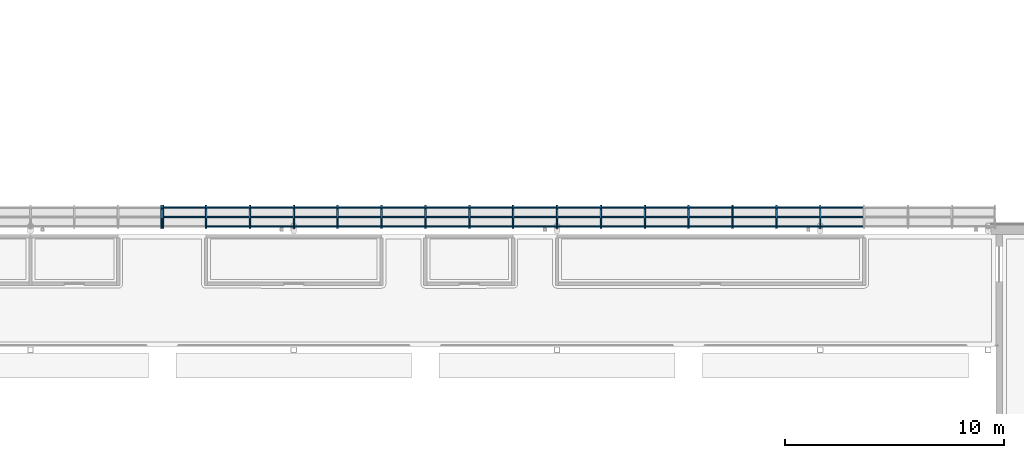
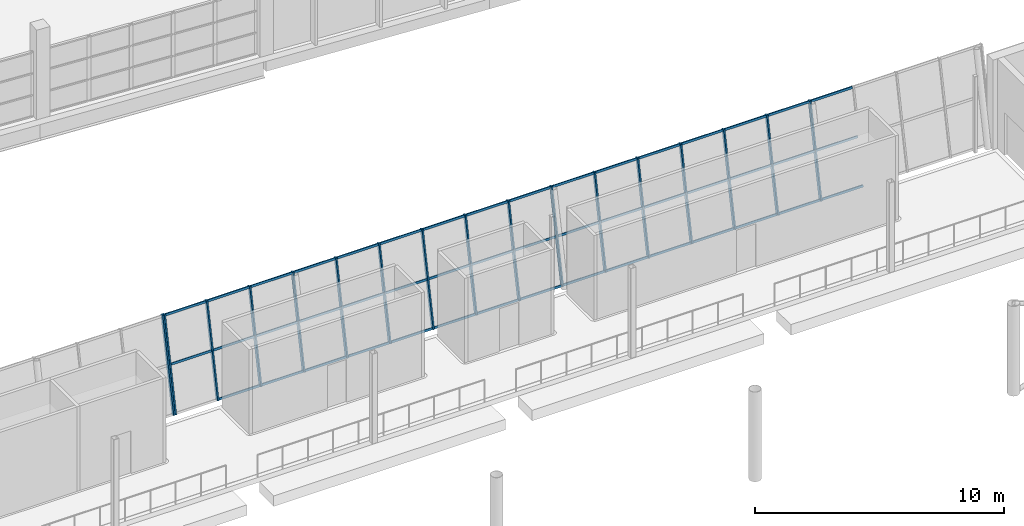
# One storey, part 35 of 115: 64 members, 2 elements without a shape of their own.
"""IFC4 building model written with IfcOpenShell, lengths in metres."""

from ifc_helpers import new_model, si_unit, direction, frame, origin, origin_2d, place, context, subcontext, project, spatial, rectangle, extrude, material, layer, layer_set, material_profile, profile_set, type_object, element, aggregate, save


model = new_model("IFC4")

# Units and contexts
model_context = context("Model", 3, precision=1e-05, world=origin(), true_north=direction((0.0, 1.0)))
body_context = subcontext(model_context, "Body", "Model", "MODEL_VIEW")
ifc_project = project(units=[si_unit("LENGTHUNIT", "METRE"), si_unit("AREAUNIT", "SQUARE_METRE"), si_unit("VOLUMEUNIT", "CUBIC_METRE"), si_unit("PLANEANGLEUNIT", "RADIAN"), si_unit("MASSUNIT", "GRAM", prefix="KILO")], contexts=[model_context])

# Site, building, storey
site_placement = place(None, origin())
site = spatial("IfcSite", under=ifc_project, at=site_placement, CompositionType="ELEMENT")
building_placement = place(site_placement, origin())
building = spatial("IfcBuilding", under=site, at=building_placement, Name="Windward Yard Aquatics Centre", CompositionType="ELEMENT")
storey_placement = place(building_placement, frame((0.0, 0.0, 5.0)))
storey = spatial("IfcBuildingStorey", under=building, at=storey_placement, Name="L01", CompositionType="ELEMENT", Elevation=5.0)

# Curtain wall, member
ifc_material_1 = material(Name="Glass and aluminium curtain wall", Category="aluminium")
ifc_layer = layer(ifc_material_1, 0.179931640625)
ifc_layer_set = layer_set([ifc_layer], Name="H curtain wall tier 1 double glazed 8+16+8")
curtain_wall_type = type_object("IfcCurtainWallType", Name="H curtain wall tier 1 double glazed 8+16+8", PredefinedType="NOTDEFINED", material=ifc_layer_set)
curtain_wall_1_placement = place(storey_placement, origin())
curtain_wall_1 = element("IfcCurtainWall", 1, at=curtain_wall_1_placement, inside=storey, type_object=curtain_wall_type, Name="Tier 1 glazing N L01", PredefinedType="NOTDEFINED")
ifc_material_2 = material(Name="Aluminium 6063-T6 anodised", Category="aluminium")
ifc_material_profile_1 = material_profile(ifc_material_2, rectangle(XDim=0.06494140625, YDim=0.179931640625, at=origin_2d()), Name="H CW mullion 65x180")
ifc_profile_set_1 = profile_set([ifc_material_profile_1], Name="Aluminium 6063-T6 anodised")
member_type_1 = type_object("IfcMemberType", Name="H CW mullion 65x180", PredefinedType="MULLION", material=ifc_profile_set_1)
member_1_placement = place(storey_placement, frame((101.96240234375, 95.911865234375, 0.017822265625), z_axis=(0.0, 0.199380237329, 0.979922201485), x_axis=(-1.0, 0.0, 0.0)))
member_1 = element("IfcMember", 2, at=member_1_placement, type_object=member_type_1, Name="G1NA mullion 20", PredefinedType="MULLION", context=body_context, shape_type="SweptSolid", body=[
    extrude(rectangle(XDim=0.06494140625, YDim=0.179931640625, at=origin_2d()), origin(), (0.0, 0.0, 1.0), 4.471923828125),
])
aggregate(curtain_wall_1, [member_1])

# Curtain wall, members
curtain_wall_2_placement = place(storey_placement, origin())
curtain_wall_2 = element("IfcCurtainWall", 3, at=curtain_wall_2_placement, inside=storey, type_object=curtain_wall_type, Name="Tier 1 glazing N L01", PredefinedType="NOTDEFINED")
member_2_placement = place(storey_placement, frame((102.03759765625, 95.911865234375, 0.017822265625), z_axis=(0.0, 0.199380237329, 0.979922201485), x_axis=(-1.0, 0.0, 0.0)))
member_2 = element("IfcMember", 4, at=member_2_placement, type_object=member_type_1, Name="G1NB mullion 1", PredefinedType="MULLION", context=body_context, shape_type="SweptSolid", body=[
    extrude(rectangle(XDim=0.06494140625, YDim=0.179931640625, at=origin_2d()), origin(), (0.0, 0.0, 1.0), 4.471923828125),
])
member_3_placement = place(storey_placement, frame((104.004638671875, 95.911865234375, 0.017822265625), z_axis=(0.0, 0.199380237329, 0.979922201485), x_axis=(-1.0, 0.0, 0.0)))
member_3 = element("IfcMember", 5, at=member_3_placement, type_object=member_type_1, Name="G1NB mullion 2", PredefinedType="MULLION", context=body_context, shape_type="SweptSolid", body=[
    extrude(rectangle(XDim=0.06494140625, YDim=0.179931640625, at=origin_2d()), origin(), (0.0, 0.0, 1.0), 4.471923828125),
])
member_4_placement = place(storey_placement, frame((106.00439453125, 95.911865234375, 0.017822265625), z_axis=(0.0, 0.199380237329, 0.979922201485), x_axis=(-1.0, 0.0, 0.0)))
member_4 = element("IfcMember", 6, at=member_4_placement, type_object=member_type_1, Name="G1NB mullion 3", PredefinedType="MULLION", context=body_context, shape_type="SweptSolid", body=[
    extrude(rectangle(XDim=0.06494140625, YDim=0.179931640625, at=origin_2d()), origin(), (0.0, 0.0, 1.0), 4.471923828125),
])
member_5_placement = place(storey_placement, frame((108.004150390625, 95.911865234375, 0.017822265625), z_axis=(0.0, 0.199380237329, 0.979922201485), x_axis=(-1.0, 0.0, 0.0)))
member_5 = element("IfcMember", 7, at=member_5_placement, type_object=member_type_1, Name="G1NB mullion 4", PredefinedType="MULLION", context=body_context, shape_type="SweptSolid", body=[
    extrude(rectangle(XDim=0.06494140625, YDim=0.179931640625, at=origin_2d()), origin(), (0.0, 0.0, 1.0), 4.471923828125),
])
member_6_placement = place(storey_placement, frame((110.00390625, 95.911865234375, 0.017822265625), z_axis=(0.0, 0.199380237329, 0.979922201485), x_axis=(-1.0, 0.0, 0.0)))
member_6 = element("IfcMember", 8, at=member_6_placement, type_object=member_type_1, Name="G1NB mullion 5", PredefinedType="MULLION", context=body_context, shape_type="SweptSolid", body=[
    extrude(rectangle(XDim=0.06494140625, YDim=0.179931640625, at=origin_2d()), origin(), (0.0, 0.0, 1.0), 4.471923828125),
])
member_7_placement = place(storey_placement, frame((112.003662109375, 95.911865234375, 0.017822265625), z_axis=(0.0, 0.199380237329, 0.979922201485), x_axis=(-1.0, 0.0, 0.0)))
member_7 = element("IfcMember", 9, at=member_7_placement, type_object=member_type_1, Name="G1NB mullion 6", PredefinedType="MULLION", context=body_context, shape_type="SweptSolid", body=[
    extrude(rectangle(XDim=0.06494140625, YDim=0.179931640625, at=origin_2d()), origin(), (0.0, 0.0, 1.0), 4.471923828125),
])
member_8_placement = place(storey_placement, frame((114.00341796875, 95.911865234375, 0.017822265625), z_axis=(0.0, 0.199380237329, 0.979922201485), x_axis=(-1.0, 0.0, 0.0)))
member_8 = element("IfcMember", 10, at=member_8_placement, type_object=member_type_1, Name="G1NB mullion 7", PredefinedType="MULLION", context=body_context, shape_type="SweptSolid", body=[
    extrude(rectangle(XDim=0.06494140625, YDim=0.179931640625, at=origin_2d()), origin(), (0.0, 0.0, 1.0), 4.471923828125),
])
member_9_placement = place(storey_placement, frame((116.003173828125, 95.911865234375, 0.017822265625), z_axis=(0.0, 0.199380237329, 0.979922201485), x_axis=(-1.0, 0.0, 0.0)))
member_9 = element("IfcMember", 11, at=member_9_placement, type_object=member_type_1, Name="G1NB mullion 8", PredefinedType="MULLION", context=body_context, shape_type="SweptSolid", body=[
    extrude(rectangle(XDim=0.06494140625, YDim=0.179931640625, at=origin_2d()), origin(), (0.0, 0.0, 1.0), 4.471923828125),
])
member_10_placement = place(storey_placement, frame((118.0029296875, 95.911865234375, 0.017822265625), z_axis=(0.0, 0.199380237329, 0.979922201485), x_axis=(-1.0, 0.0, 0.0)))
member_10 = element("IfcMember", 12, at=member_10_placement, type_object=member_type_1, Name="G1NB mullion 9", PredefinedType="MULLION", context=body_context, shape_type="SweptSolid", body=[
    extrude(rectangle(XDim=0.06494140625, YDim=0.179931640625, at=origin_2d()), origin(), (0.0, 0.0, 1.0), 4.471923828125),
])
member_11_placement = place(storey_placement, frame((120.002685546875, 95.911865234375, 0.017822265625), z_axis=(0.0, 0.199380237329, 0.979922201485), x_axis=(-1.0, 0.0, 0.0)))
member_11 = element("IfcMember", 13, at=member_11_placement, type_object=member_type_1, Name="G1NB mullion 10", PredefinedType="MULLION", context=body_context, shape_type="SweptSolid", body=[
    extrude(rectangle(XDim=0.06494140625, YDim=0.179931640625, at=origin_2d()), origin(), (0.0, 0.0, 1.0), 4.471923828125),
])
member_12_placement = place(storey_placement, frame((122.00244140625, 95.911865234375, 0.017822265625), z_axis=(0.0, 0.199380237329, 0.979922201485), x_axis=(-1.0, 0.0, 0.0)))
member_12 = element("IfcMember", 14, at=member_12_placement, type_object=member_type_1, Name="G1NB mullion 11", PredefinedType="MULLION", context=body_context, shape_type="SweptSolid", body=[
    extrude(rectangle(XDim=0.06494140625, YDim=0.179931640625, at=origin_2d()), origin(), (0.0, 0.0, 1.0), 4.471923828125),
])
member_13_placement = place(storey_placement, frame((124.002197265625, 95.911865234375, 0.017822265625), z_axis=(0.0, 0.199380237329, 0.979922201485), x_axis=(-1.0, 0.0, 0.0)))
member_13 = element("IfcMember", 15, at=member_13_placement, type_object=member_type_1, Name="G1NB mullion 12", PredefinedType="MULLION", context=body_context, shape_type="SweptSolid", body=[
    extrude(rectangle(XDim=0.06494140625, YDim=0.179931640625, at=origin_2d()), origin(), (0.0, 0.0, 1.0), 4.471923828125),
])
member_14_placement = place(storey_placement, frame((126.001953125, 95.911865234375, 0.017822265625), z_axis=(0.0, 0.199380237329, 0.979922201485), x_axis=(-1.0, 0.0, 0.0)))
member_14 = element("IfcMember", 16, at=member_14_placement, type_object=member_type_1, Name="G1NB mullion 13", PredefinedType="MULLION", context=body_context, shape_type="SweptSolid", body=[
    extrude(rectangle(XDim=0.06494140625, YDim=0.179931640625, at=origin_2d()), origin(), (0.0, 0.0, 1.0), 4.471923828125),
])
member_15_placement = place(storey_placement, frame((128.00146484375, 95.911865234375, 0.017822265625), z_axis=(0.0, 0.199380237329, 0.979922201485), x_axis=(-1.0, 0.0, 0.0)))
member_15 = element("IfcMember", 17, at=member_15_placement, type_object=member_type_1, Name="G1NB mullion 14", PredefinedType="MULLION", context=body_context, shape_type="SweptSolid", body=[
    extrude(rectangle(XDim=0.06494140625, YDim=0.179931640625, at=origin_2d()), origin(), (0.0, 0.0, 1.0), 4.471923828125),
])
member_16_placement = place(storey_placement, frame((130.001220703125, 95.911865234375, 0.017822265625), z_axis=(0.0, 0.199380237329, 0.979922201485), x_axis=(-1.0, 0.0, 0.0)))
member_16 = element("IfcMember", 18, at=member_16_placement, type_object=member_type_1, Name="G1NB mullion 15", PredefinedType="MULLION", context=body_context, shape_type="SweptSolid", body=[
    extrude(rectangle(XDim=0.06494140625, YDim=0.179931640625, at=origin_2d()), origin(), (0.0, 0.0, 1.0), 4.471923828125),
])
member_17_placement = place(storey_placement, frame((132.0009765625, 95.911865234375, 0.017822265625), z_axis=(0.0, 0.199380237329, 0.979922201485), x_axis=(-1.0, 0.0, 0.0)))
member_17 = element("IfcMember", 19, at=member_17_placement, type_object=member_type_1, Name="G1NB mullion 16", PredefinedType="MULLION", context=body_context, shape_type="SweptSolid", body=[
    extrude(rectangle(XDim=0.06494140625, YDim=0.179931640625, at=origin_2d()), origin(), (0.0, 0.0, 1.0), 4.471923828125),
])
ifc_material_profile_2 = material_profile(ifc_material_2, rectangle(XDim=0.06494140625, YDim=0.10009765625, at=origin_2d()), Name="H CW transom 65x100")
ifc_profile_set_2 = profile_set([ifc_material_profile_2], Name="Aluminium 6063-T6 anodised")
member_type_2 = type_object("IfcMemberType", Name="H CW transom 65x100", PredefinedType="USERDEFINED", material=ifc_profile_set_2)
member_18_placement = place(storey_placement, frame((102.070068359375, 96.355712890625, 2.199951171875), z_axis=(1.0, 0.0, 0.0), x_axis=(0.0, -0.979924704642, 0.199367934315)))
member_18 = element("IfcMember", 20, at=member_18_placement, type_object=member_type_2, Name="G1NB transom 1.2", ObjectType="TRANSOM", PredefinedType="USERDEFINED", context=body_context, shape_type="SweptSolid", body=[
    extrude(rectangle(XDim=0.06494140625, YDim=0.10009765625, at=origin_2d()), origin(), (0.0, 0.0, 1.0), 1.902099609375),
])
member_19_placement = place(storey_placement, frame((102.070068359375, 96.79345703125, 4.35107421875), z_axis=(1.0, 0.0, 0.0), x_axis=(0.0, -0.979924704642, 0.199367934315)))
member_19 = element("IfcMember", 21, at=member_19_placement, type_object=member_type_2, Name="G1NB transom 1.3", ObjectType="TRANSOM", PredefinedType="USERDEFINED", context=body_context, shape_type="SweptSolid", body=[
    extrude(rectangle(XDim=0.06494140625, YDim=0.10009765625, at=origin_2d()), origin(), (0.0, 0.0, 1.0), 1.902099609375),
])
member_20_placement = place(storey_placement, frame((104.037353515625, 95.91943359375, 0.055419921875), z_axis=(1.0, 0.0, 0.0), x_axis=(0.0, -0.979924704642, 0.199367934315)))
member_20 = element("IfcMember", 22, at=member_20_placement, type_object=member_type_2, Name="G1NB transom 2.1", ObjectType="TRANSOM", PredefinedType="USERDEFINED", context=body_context, shape_type="SweptSolid", body=[
    extrude(rectangle(XDim=0.06494140625, YDim=0.10009765625, at=origin_2d()), origin(), (0.0, 0.0, 1.0), 1.9345703125),
])
member_21_placement = place(storey_placement, frame((104.037353515625, 96.355712890625, 2.199951171875), z_axis=(1.0, 0.0, 0.0), x_axis=(0.0, -0.979924704642, 0.199367934315)))
member_21 = element("IfcMember", 23, at=member_21_placement, type_object=member_type_2, Name="G1NB transom 2.2", ObjectType="TRANSOM", PredefinedType="USERDEFINED", context=body_context, shape_type="SweptSolid", body=[
    extrude(rectangle(XDim=0.06494140625, YDim=0.10009765625, at=origin_2d()), origin(), (0.0, 0.0, 1.0), 1.9345703125),
])
member_22_placement = place(storey_placement, frame((104.037353515625, 96.79345703125, 4.35107421875), z_axis=(1.0, 0.0, 0.0), x_axis=(0.0, -0.979924704642, 0.199367934315)))
member_22 = element("IfcMember", 24, at=member_22_placement, type_object=member_type_2, Name="G1NB transom 2.3", ObjectType="TRANSOM", PredefinedType="USERDEFINED", context=body_context, shape_type="SweptSolid", body=[
    extrude(rectangle(XDim=0.06494140625, YDim=0.10009765625, at=origin_2d()), origin(), (0.0, 0.0, 1.0), 1.9345703125),
])
member_23_placement = place(storey_placement, frame((106.036865234375, 95.91943359375, 0.055419921875), z_axis=(1.0, 0.0, 0.0), x_axis=(0.0, -0.979924704642, 0.199367934315)))
member_23 = element("IfcMember", 25, at=member_23_placement, type_object=member_type_2, Name="G1NB transom 3.1", ObjectType="TRANSOM", PredefinedType="USERDEFINED", context=body_context, shape_type="SweptSolid", body=[
    extrude(rectangle(XDim=0.06494140625, YDim=0.10009765625, at=origin_2d()), origin(), (0.0, 0.0, 1.0), 1.934814453125),
])
member_24_placement = place(storey_placement, frame((106.036865234375, 96.355712890625, 2.199951171875), z_axis=(1.0, 0.0, 0.0), x_axis=(0.0, -0.979924704642, 0.199367934315)))
member_24 = element("IfcMember", 26, at=member_24_placement, type_object=member_type_2, Name="G1NB transom 3.2", ObjectType="TRANSOM", PredefinedType="USERDEFINED", context=body_context, shape_type="SweptSolid", body=[
    extrude(rectangle(XDim=0.06494140625, YDim=0.10009765625, at=origin_2d()), origin(), (0.0, 0.0, 1.0), 1.934814453125),
])
member_25_placement = place(storey_placement, frame((106.036865234375, 96.79345703125, 4.35107421875), z_axis=(1.0, 0.0, 0.0), x_axis=(0.0, -0.979924704642, 0.199367934315)))
member_25 = element("IfcMember", 27, at=member_25_placement, type_object=member_type_2, Name="G1NB transom 3.3", ObjectType="TRANSOM", PredefinedType="USERDEFINED", context=body_context, shape_type="SweptSolid", body=[
    extrude(rectangle(XDim=0.06494140625, YDim=0.10009765625, at=origin_2d()), origin(), (0.0, 0.0, 1.0), 1.934814453125),
])
member_26_placement = place(storey_placement, frame((108.03662109375, 95.91943359375, 0.055419921875), z_axis=(1.0, 0.0, 0.0), x_axis=(0.0, -0.979924704642, 0.199367934315)))
member_26 = element("IfcMember", 28, at=member_26_placement, type_object=member_type_2, Name="G1NB transom 4.1", ObjectType="TRANSOM", PredefinedType="USERDEFINED", context=body_context, shape_type="SweptSolid", body=[
    extrude(rectangle(XDim=0.06494140625, YDim=0.10009765625, at=origin_2d()), origin(), (0.0, 0.0, 1.0), 1.934814453125),
])
member_27_placement = place(storey_placement, frame((108.03662109375, 96.355712890625, 2.199951171875), z_axis=(1.0, 0.0, 0.0), x_axis=(0.0, -0.979924704642, 0.199367934315)))
member_27 = element("IfcMember", 29, at=member_27_placement, type_object=member_type_2, Name="G1NB transom 4.2", ObjectType="TRANSOM", PredefinedType="USERDEFINED", context=body_context, shape_type="SweptSolid", body=[
    extrude(rectangle(XDim=0.06494140625, YDim=0.10009765625, at=origin_2d()), origin(), (0.0, 0.0, 1.0), 1.934814453125),
])
member_28_placement = place(storey_placement, frame((108.03662109375, 96.79345703125, 4.35107421875), z_axis=(1.0, 0.0, 0.0), x_axis=(0.0, -0.979924704642, 0.199367934315)))
member_28 = element("IfcMember", 30, at=member_28_placement, type_object=member_type_2, Name="G1NB transom 4.3", ObjectType="TRANSOM", PredefinedType="USERDEFINED", context=body_context, shape_type="SweptSolid", body=[
    extrude(rectangle(XDim=0.06494140625, YDim=0.10009765625, at=origin_2d()), origin(), (0.0, 0.0, 1.0), 1.934814453125),
])
member_29_placement = place(storey_placement, frame((110.036376953125, 95.91943359375, 0.055419921875), z_axis=(1.0, 0.0, 0.0), x_axis=(0.0, -0.979924704642, 0.199367934315)))
member_29 = element("IfcMember", 31, at=member_29_placement, type_object=member_type_2, Name="G1NB transom 5.1", ObjectType="TRANSOM", PredefinedType="USERDEFINED", context=body_context, shape_type="SweptSolid", body=[
    extrude(rectangle(XDim=0.06494140625, YDim=0.10009765625, at=origin_2d()), origin(), (0.0, 0.0, 1.0), 1.934814453125),
])
member_30_placement = place(storey_placement, frame((110.036376953125, 96.355712890625, 2.199951171875), z_axis=(1.0, 0.0, 0.0), x_axis=(0.0, -0.979924704642, 0.199367934315)))
member_30 = element("IfcMember", 32, at=member_30_placement, type_object=member_type_2, Name="G1NB transom 5.2", ObjectType="TRANSOM", PredefinedType="USERDEFINED", context=body_context, shape_type="SweptSolid", body=[
    extrude(rectangle(XDim=0.06494140625, YDim=0.10009765625, at=origin_2d()), origin(), (0.0, 0.0, 1.0), 1.934814453125),
])
member_31_placement = place(storey_placement, frame((110.036376953125, 96.79345703125, 4.35107421875), z_axis=(1.0, 0.0, 0.0), x_axis=(0.0, -0.979924704642, 0.199367934315)))
member_31 = element("IfcMember", 33, at=member_31_placement, type_object=member_type_2, Name="G1NB transom 5.3", ObjectType="TRANSOM", PredefinedType="USERDEFINED", context=body_context, shape_type="SweptSolid", body=[
    extrude(rectangle(XDim=0.06494140625, YDim=0.10009765625, at=origin_2d()), origin(), (0.0, 0.0, 1.0), 1.934814453125),
])
member_32_placement = place(storey_placement, frame((112.0361328125, 95.91943359375, 0.055419921875), z_axis=(1.0, 0.0, 0.0), x_axis=(0.0, -0.979924704642, 0.199367934315)))
member_32 = element("IfcMember", 34, at=member_32_placement, type_object=member_type_2, Name="G1NB transom 6.1", ObjectType="TRANSOM", PredefinedType="USERDEFINED", context=body_context, shape_type="SweptSolid", body=[
    extrude(rectangle(XDim=0.06494140625, YDim=0.10009765625, at=origin_2d()), origin(), (0.0, 0.0, 1.0), 1.934814453125),
])
member_33_placement = place(storey_placement, frame((112.0361328125, 96.355712890625, 2.199951171875), z_axis=(1.0, 0.0, 0.0), x_axis=(0.0, -0.979924704642, 0.199367934315)))
member_33 = element("IfcMember", 35, at=member_33_placement, type_object=member_type_2, Name="G1NB transom 6.2", ObjectType="TRANSOM", PredefinedType="USERDEFINED", context=body_context, shape_type="SweptSolid", body=[
    extrude(rectangle(XDim=0.06494140625, YDim=0.10009765625, at=origin_2d()), origin(), (0.0, 0.0, 1.0), 1.934814453125),
])
member_34_placement = place(storey_placement, frame((112.0361328125, 96.79345703125, 4.35107421875), z_axis=(1.0, 0.0, 0.0), x_axis=(0.0, -0.979924704642, 0.199367934315)))
member_34 = element("IfcMember", 36, at=member_34_placement, type_object=member_type_2, Name="G1NB transom 6.3", ObjectType="TRANSOM", PredefinedType="USERDEFINED", context=body_context, shape_type="SweptSolid", body=[
    extrude(rectangle(XDim=0.06494140625, YDim=0.10009765625, at=origin_2d()), origin(), (0.0, 0.0, 1.0), 1.934814453125),
])
member_35_placement = place(storey_placement, frame((114.035888671875, 95.91943359375, 0.055419921875), z_axis=(1.0, 0.0, 0.0), x_axis=(0.0, -0.979924704642, 0.199367934315)))
member_35 = element("IfcMember", 37, at=member_35_placement, type_object=member_type_2, Name="G1NB transom 7.1", ObjectType="TRANSOM", PredefinedType="USERDEFINED", context=body_context, shape_type="SweptSolid", body=[
    extrude(rectangle(XDim=0.06494140625, YDim=0.10009765625, at=origin_2d()), origin(), (0.0, 0.0, 1.0), 1.934814453125),
])
member_36_placement = place(storey_placement, frame((114.035888671875, 96.355712890625, 2.199951171875), z_axis=(1.0, 0.0, 0.0), x_axis=(0.0, -0.979924704642, 0.199367934315)))
member_36 = element("IfcMember", 38, at=member_36_placement, type_object=member_type_2, Name="G1NB transom 7.2", ObjectType="TRANSOM", PredefinedType="USERDEFINED", context=body_context, shape_type="SweptSolid", body=[
    extrude(rectangle(XDim=0.06494140625, YDim=0.10009765625, at=origin_2d()), origin(), (0.0, 0.0, 1.0), 1.934814453125),
])
member_37_placement = place(storey_placement, frame((114.035888671875, 96.79345703125, 4.35107421875), z_axis=(1.0, 0.0, 0.0), x_axis=(0.0, -0.979924704642, 0.199367934315)))
member_37 = element("IfcMember", 39, at=member_37_placement, type_object=member_type_2, Name="G1NB transom 7.3", ObjectType="TRANSOM", PredefinedType="USERDEFINED", context=body_context, shape_type="SweptSolid", body=[
    extrude(rectangle(XDim=0.06494140625, YDim=0.10009765625, at=origin_2d()), origin(), (0.0, 0.0, 1.0), 1.934814453125),
])
member_38_placement = place(storey_placement, frame((116.03564453125, 95.91943359375, 0.055419921875), z_axis=(1.0, 0.0, 0.0), x_axis=(0.0, -0.979924704642, 0.199367934315)))
member_38 = element("IfcMember", 40, at=member_38_placement, type_object=member_type_2, Name="G1NB transom 8.1", ObjectType="TRANSOM", PredefinedType="USERDEFINED", context=body_context, shape_type="SweptSolid", body=[
    extrude(rectangle(XDim=0.06494140625, YDim=0.10009765625, at=origin_2d()), origin(), (0.0, 0.0, 1.0), 1.934814453125),
])
member_39_placement = place(storey_placement, frame((116.03564453125, 96.355712890625, 2.199951171875), z_axis=(1.0, 0.0, 0.0), x_axis=(0.0, -0.979924704642, 0.199367934315)))
member_39 = element("IfcMember", 41, at=member_39_placement, type_object=member_type_2, Name="G1NB transom 8.2", ObjectType="TRANSOM", PredefinedType="USERDEFINED", context=body_context, shape_type="SweptSolid", body=[
    extrude(rectangle(XDim=0.06494140625, YDim=0.10009765625, at=origin_2d()), origin(), (0.0, 0.0, 1.0), 1.934814453125),
])
member_40_placement = place(storey_placement, frame((116.03564453125, 96.79345703125, 4.35107421875), z_axis=(1.0, 0.0, 0.0), x_axis=(0.0, -0.979924704642, 0.199367934315)))
member_40 = element("IfcMember", 42, at=member_40_placement, type_object=member_type_2, Name="G1NB transom 8.3", ObjectType="TRANSOM", PredefinedType="USERDEFINED", context=body_context, shape_type="SweptSolid", body=[
    extrude(rectangle(XDim=0.06494140625, YDim=0.10009765625, at=origin_2d()), origin(), (0.0, 0.0, 1.0), 1.934814453125),
])
member_41_placement = place(storey_placement, frame((118.035400390625, 95.91943359375, 0.055419921875), z_axis=(1.0, 0.0, 0.0), x_axis=(0.0, -0.979924704642, 0.199367934315)))
member_41 = element("IfcMember", 43, at=member_41_placement, type_object=member_type_2, Name="G1NB transom 9.1", ObjectType="TRANSOM", PredefinedType="USERDEFINED", context=body_context, shape_type="SweptSolid", body=[
    extrude(rectangle(XDim=0.06494140625, YDim=0.10009765625, at=origin_2d()), origin(), (0.0, 0.0, 1.0), 1.934814453125),
])
member_42_placement = place(storey_placement, frame((118.035400390625, 96.355712890625, 2.199951171875), z_axis=(1.0, 0.0, 0.0), x_axis=(0.0, -0.979924704642, 0.199367934315)))
member_42 = element("IfcMember", 44, at=member_42_placement, type_object=member_type_2, Name="G1NB transom 9.2", ObjectType="TRANSOM", PredefinedType="USERDEFINED", context=body_context, shape_type="SweptSolid", body=[
    extrude(rectangle(XDim=0.06494140625, YDim=0.10009765625, at=origin_2d()), origin(), (0.0, 0.0, 1.0), 1.934814453125),
])
member_43_placement = place(storey_placement, frame((118.035400390625, 96.79345703125, 4.35107421875), z_axis=(1.0, 0.0, 0.0), x_axis=(0.0, -0.979924704642, 0.199367934315)))
member_43 = element("IfcMember", 45, at=member_43_placement, type_object=member_type_2, Name="G1NB transom 9.3", ObjectType="TRANSOM", PredefinedType="USERDEFINED", context=body_context, shape_type="SweptSolid", body=[
    extrude(rectangle(XDim=0.06494140625, YDim=0.10009765625, at=origin_2d()), origin(), (0.0, 0.0, 1.0), 1.934814453125),
])
member_44_placement = place(storey_placement, frame((120.03515625, 95.91943359375, 0.055419921875), z_axis=(1.0, 0.0, 0.0), x_axis=(0.0, -0.979924704642, 0.199367934315)))
member_44 = element("IfcMember", 46, at=member_44_placement, type_object=member_type_2, Name="G1NB transom 10.1", ObjectType="TRANSOM", PredefinedType="USERDEFINED", context=body_context, shape_type="SweptSolid", body=[
    extrude(rectangle(XDim=0.06494140625, YDim=0.10009765625, at=origin_2d()), origin(), (0.0, 0.0, 1.0), 1.934814453125),
])
member_45_placement = place(storey_placement, frame((120.03515625, 96.355712890625, 2.199951171875), z_axis=(1.0, 0.0, 0.0), x_axis=(0.0, -0.979924704642, 0.199367934315)))
member_45 = element("IfcMember", 47, at=member_45_placement, type_object=member_type_2, Name="G1NB transom 10.2", ObjectType="TRANSOM", PredefinedType="USERDEFINED", context=body_context, shape_type="SweptSolid", body=[
    extrude(rectangle(XDim=0.06494140625, YDim=0.10009765625, at=origin_2d()), origin(), (0.0, 0.0, 1.0), 1.934814453125),
])
member_46_placement = place(storey_placement, frame((120.03515625, 96.79345703125, 4.35107421875), z_axis=(1.0, 0.0, 0.0), x_axis=(0.0, -0.979924704642, 0.199367934315)))
member_46 = element("IfcMember", 48, at=member_46_placement, type_object=member_type_2, Name="G1NB transom 10.3", ObjectType="TRANSOM", PredefinedType="USERDEFINED", context=body_context, shape_type="SweptSolid", body=[
    extrude(rectangle(XDim=0.06494140625, YDim=0.10009765625, at=origin_2d()), origin(), (0.0, 0.0, 1.0), 1.934814453125),
])
member_47_placement = place(storey_placement, frame((122.034912109375, 95.91943359375, 0.055419921875), z_axis=(1.0, 0.0, 0.0), x_axis=(0.0, -0.979924704642, 0.199367934315)))
member_47 = element("IfcMember", 49, at=member_47_placement, type_object=member_type_2, Name="G1NB transom 11.1", ObjectType="TRANSOM", PredefinedType="USERDEFINED", context=body_context, shape_type="SweptSolid", body=[
    extrude(rectangle(XDim=0.06494140625, YDim=0.10009765625, at=origin_2d()), origin(), (0.0, 0.0, 1.0), 1.934814453125),
])
member_48_placement = place(storey_placement, frame((122.034912109375, 96.355712890625, 2.199951171875), z_axis=(1.0, 0.0, 0.0), x_axis=(0.0, -0.979924704642, 0.199367934315)))
member_48 = element("IfcMember", 50, at=member_48_placement, type_object=member_type_2, Name="G1NB transom 11.2", ObjectType="TRANSOM", PredefinedType="USERDEFINED", context=body_context, shape_type="SweptSolid", body=[
    extrude(rectangle(XDim=0.06494140625, YDim=0.10009765625, at=origin_2d()), origin(), (0.0, 0.0, 1.0), 1.934814453125),
])
member_49_placement = place(storey_placement, frame((122.034912109375, 96.79345703125, 4.35107421875), z_axis=(1.0, 0.0, 0.0), x_axis=(0.0, -0.979924704642, 0.199367934315)))
member_49 = element("IfcMember", 51, at=member_49_placement, type_object=member_type_2, Name="G1NB transom 11.3", ObjectType="TRANSOM", PredefinedType="USERDEFINED", context=body_context, shape_type="SweptSolid", body=[
    extrude(rectangle(XDim=0.06494140625, YDim=0.10009765625, at=origin_2d()), origin(), (0.0, 0.0, 1.0), 1.934814453125),
])
member_50_placement = place(storey_placement, frame((124.03466796875, 95.91943359375, 0.055419921875), z_axis=(1.0, 0.0, 0.0), x_axis=(0.0, -0.979924704642, 0.199367934315)))
member_50 = element("IfcMember", 52, at=member_50_placement, type_object=member_type_2, Name="G1NB transom 12.1", ObjectType="TRANSOM", PredefinedType="USERDEFINED", context=body_context, shape_type="SweptSolid", body=[
    extrude(rectangle(XDim=0.06494140625, YDim=0.10009765625, at=origin_2d()), origin(), (0.0, 0.0, 1.0), 1.9345703125),
])
member_51_placement = place(storey_placement, frame((124.03466796875, 96.355712890625, 2.199951171875), z_axis=(1.0, 0.0, 0.0), x_axis=(0.0, -0.979924704642, 0.199367934315)))
member_51 = element("IfcMember", 53, at=member_51_placement, type_object=member_type_2, Name="G1NB transom 12.2", ObjectType="TRANSOM", PredefinedType="USERDEFINED", context=body_context, shape_type="SweptSolid", body=[
    extrude(rectangle(XDim=0.06494140625, YDim=0.10009765625, at=origin_2d()), origin(), (0.0, 0.0, 1.0), 1.9345703125),
])
member_52_placement = place(storey_placement, frame((124.03466796875, 96.79345703125, 4.35107421875), z_axis=(1.0, 0.0, 0.0), x_axis=(0.0, -0.979924704642, 0.199367934315)))
member_52 = element("IfcMember", 54, at=member_52_placement, type_object=member_type_2, Name="G1NB transom 12.3", ObjectType="TRANSOM", PredefinedType="USERDEFINED", context=body_context, shape_type="SweptSolid", body=[
    extrude(rectangle(XDim=0.06494140625, YDim=0.10009765625, at=origin_2d()), origin(), (0.0, 0.0, 1.0), 1.9345703125),
])
member_53_placement = place(storey_placement, frame((126.034423828125, 95.91943359375, 0.055419921875), z_axis=(1.0, 0.0, 0.0), x_axis=(0.0, -0.979924704642, 0.199367934315)))
member_53 = element("IfcMember", 55, at=member_53_placement, type_object=member_type_2, Name="G1NB transom 13.1", ObjectType="TRANSOM", PredefinedType="USERDEFINED", context=body_context, shape_type="SweptSolid", body=[
    extrude(rectangle(XDim=0.06494140625, YDim=0.10009765625, at=origin_2d()), origin(), (0.0, 0.0, 1.0), 1.9345703125),
])
member_54_placement = place(storey_placement, frame((126.034423828125, 96.355712890625, 2.199951171875), z_axis=(1.0, 0.0, 0.0), x_axis=(0.0, -0.979924704642, 0.199367934315)))
member_54 = element("IfcMember", 56, at=member_54_placement, type_object=member_type_2, Name="G1NB transom 13.2", ObjectType="TRANSOM", PredefinedType="USERDEFINED", context=body_context, shape_type="SweptSolid", body=[
    extrude(rectangle(XDim=0.06494140625, YDim=0.10009765625, at=origin_2d()), origin(), (0.0, 0.0, 1.0), 1.9345703125),
])
member_55_placement = place(storey_placement, frame((126.034423828125, 96.79345703125, 4.35107421875), z_axis=(1.0, 0.0, 0.0), x_axis=(0.0, -0.979924704642, 0.199367934315)))
member_55 = element("IfcMember", 57, at=member_55_placement, type_object=member_type_2, Name="G1NB transom 13.3", ObjectType="TRANSOM", PredefinedType="USERDEFINED", context=body_context, shape_type="SweptSolid", body=[
    extrude(rectangle(XDim=0.06494140625, YDim=0.10009765625, at=origin_2d()), origin(), (0.0, 0.0, 1.0), 1.9345703125),
])
member_56_placement = place(storey_placement, frame((128.0341796875, 95.91943359375, 0.055419921875), z_axis=(1.0, 0.0, 0.0), x_axis=(0.0, -0.979924704642, 0.199367934315)))
member_56 = element("IfcMember", 58, at=member_56_placement, type_object=member_type_2, Name="G1NB transom 14.1", ObjectType="TRANSOM", PredefinedType="USERDEFINED", context=body_context, shape_type="SweptSolid", body=[
    extrude(rectangle(XDim=0.06494140625, YDim=0.10009765625, at=origin_2d()), origin(), (0.0, 0.0, 1.0), 1.9345703125),
])
member_57_placement = place(storey_placement, frame((128.0341796875, 96.355712890625, 2.199951171875), z_axis=(1.0, 0.0, 0.0), x_axis=(0.0, -0.979924704642, 0.199367934315)))
member_57 = element("IfcMember", 59, at=member_57_placement, type_object=member_type_2, Name="G1NB transom 14.2", ObjectType="TRANSOM", PredefinedType="USERDEFINED", context=body_context, shape_type="SweptSolid", body=[
    extrude(rectangle(XDim=0.06494140625, YDim=0.10009765625, at=origin_2d()), origin(), (0.0, 0.0, 1.0), 1.9345703125),
])
member_58_placement = place(storey_placement, frame((128.0341796875, 96.79345703125, 4.35107421875), z_axis=(1.0, 0.0, 0.0), x_axis=(0.0, -0.979924704642, 0.199367934315)))
member_58 = element("IfcMember", 60, at=member_58_placement, type_object=member_type_2, Name="G1NB transom 14.3", ObjectType="TRANSOM", PredefinedType="USERDEFINED", context=body_context, shape_type="SweptSolid", body=[
    extrude(rectangle(XDim=0.06494140625, YDim=0.10009765625, at=origin_2d()), origin(), (0.0, 0.0, 1.0), 1.9345703125),
])
member_59_placement = place(storey_placement, frame((130.033935546875, 95.91943359375, 0.055419921875), z_axis=(1.0, 0.0, 0.0), x_axis=(0.0, -0.979924704642, 0.199367934315)))
member_59 = element("IfcMember", 61, at=member_59_placement, type_object=member_type_2, Name="G1NB transom 15.1", ObjectType="TRANSOM", PredefinedType="USERDEFINED", context=body_context, shape_type="SweptSolid", body=[
    extrude(rectangle(XDim=0.06494140625, YDim=0.10009765625, at=origin_2d()), origin(), (0.0, 0.0, 1.0), 1.9345703125),
])
member_60_placement = place(storey_placement, frame((130.033935546875, 96.355712890625, 2.199951171875), z_axis=(1.0, 0.0, 0.0), x_axis=(0.0, -0.979924704642, 0.199367934315)))
member_60 = element("IfcMember", 62, at=member_60_placement, type_object=member_type_2, Name="G1NB transom 15.2", ObjectType="TRANSOM", PredefinedType="USERDEFINED", context=body_context, shape_type="SweptSolid", body=[
    extrude(rectangle(XDim=0.06494140625, YDim=0.10009765625, at=origin_2d()), origin(), (0.0, 0.0, 1.0), 1.9345703125),
])
member_61_placement = place(storey_placement, frame((130.033935546875, 96.79345703125, 4.35107421875), z_axis=(1.0, 0.0, 0.0), x_axis=(0.0, -0.979924704642, 0.199367934315)))
member_61 = element("IfcMember", 63, at=member_61_placement, type_object=member_type_2, Name="G1NB transom 15.3", ObjectType="TRANSOM", PredefinedType="USERDEFINED", context=body_context, shape_type="SweptSolid", body=[
    extrude(rectangle(XDim=0.06494140625, YDim=0.10009765625, at=origin_2d()), origin(), (0.0, 0.0, 1.0), 1.9345703125),
])
member_62_placement = place(storey_placement, frame((132.033447265625, 95.91943359375, 0.055419921875), z_axis=(1.0, 0.0, 0.0), x_axis=(0.0, -0.979924704642, 0.199367934315)))
member_62 = element("IfcMember", 64, at=member_62_placement, type_object=member_type_2, Name="G1NB transom 16.1", ObjectType="TRANSOM", PredefinedType="USERDEFINED", context=body_context, shape_type="SweptSolid", body=[
    extrude(rectangle(XDim=0.06494140625, YDim=0.10009765625, at=origin_2d()), origin(), (0.0, 0.0, 1.0), 1.934814453125),
])
member_63_placement = place(storey_placement, frame((132.033447265625, 96.355712890625, 2.199951171875), z_axis=(1.0, 0.0, 0.0), x_axis=(0.0, -0.979924704642, 0.199367934315)))
member_63 = element("IfcMember", 65, at=member_63_placement, type_object=member_type_2, Name="G1NB transom 16.2", ObjectType="TRANSOM", PredefinedType="USERDEFINED", context=body_context, shape_type="SweptSolid", body=[
    extrude(rectangle(XDim=0.06494140625, YDim=0.10009765625, at=origin_2d()), origin(), (0.0, 0.0, 1.0), 1.934814453125),
])
member_64_placement = place(storey_placement, frame((132.033447265625, 96.79345703125, 4.35107421875), z_axis=(1.0, 0.0, 0.0), x_axis=(0.0, -0.979924704642, 0.199367934315)))
member_64 = element("IfcMember", 66, at=member_64_placement, type_object=member_type_2, Name="G1NB transom 16.3", ObjectType="TRANSOM", PredefinedType="USERDEFINED", context=body_context, shape_type="SweptSolid", body=[
    extrude(rectangle(XDim=0.06494140625, YDim=0.10009765625, at=origin_2d()), origin(), (0.0, 0.0, 1.0), 1.934814453125),
])
aggregate(curtain_wall_2, [member_2, member_3, member_4, member_5, member_6, member_7, member_8, member_9, member_10, member_11, member_12, member_13, member_14, member_15, member_16, member_17, member_18, member_19, member_20, member_21, member_22, member_23, member_24, member_25, member_26, member_27, member_28, member_29, member_30, member_31, member_32, member_33, member_34, member_35, member_36, member_37, member_38, member_39, member_40, member_41, member_42, member_43, member_44, member_45, member_46, member_47, member_48, member_49, member_50, member_51, member_52, member_53, member_54, member_55, member_56, member_57, member_58, member_59, member_60, member_61, member_62, member_63, member_64])

save(model, "model.ifc")
